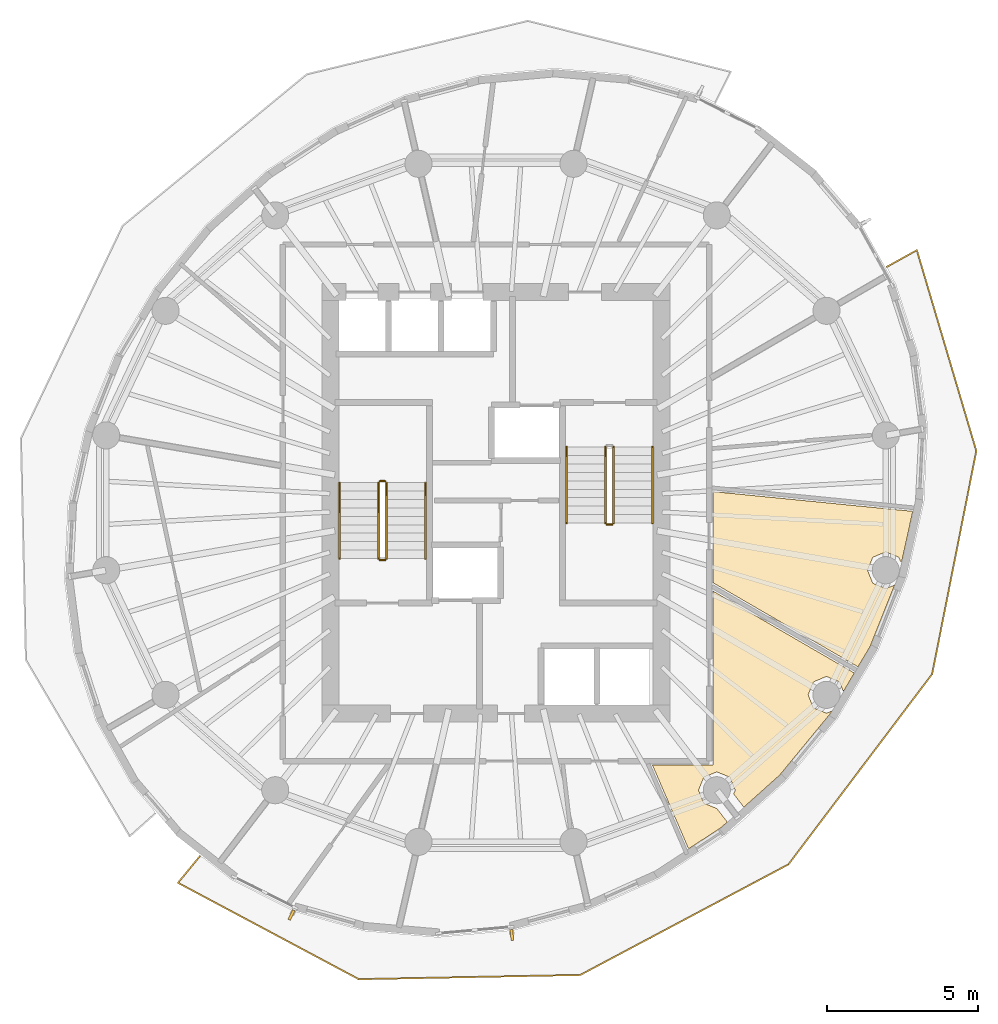
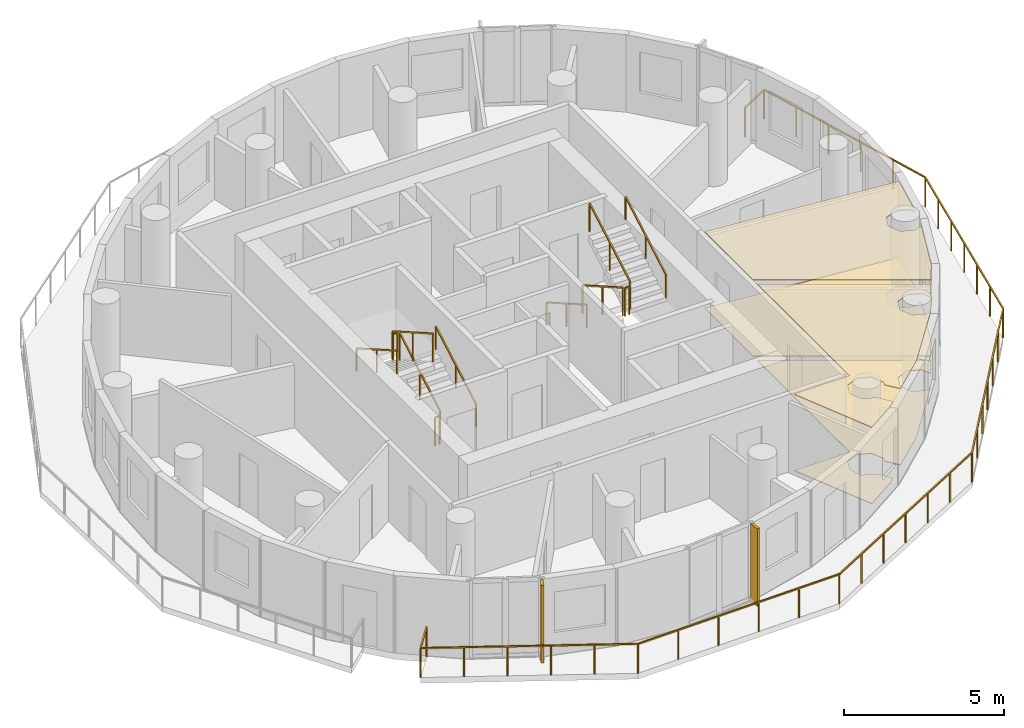
# One storey, part 8 of 10: 12 railings, 4 coverings, 2 shading devices.
"""IFC4 building model written with IfcOpenShell, lengths in metres."""

from ifc_helpers import new_model, si_unit, direction, frame, origin, origin_2d, place, context, subcontext, project, spatial, polyline, rectangle, outline, extrude, material, layer, layer_set, type_object, element, save


model = new_model("IFC4")

# Units and contexts
model_context = context("Model", 3, precision=1e-05, world=origin(), true_north=direction((0.0, 1.0)))
body_context = subcontext(model_context, "Body", "Model", "MODEL_VIEW")
ifc_project = project(units=[si_unit("LENGTHUNIT", "METRE"), si_unit("AREAUNIT", "SQUARE_METRE"), si_unit("VOLUMEUNIT", "CUBIC_METRE"), si_unit("PLANEANGLEUNIT", "RADIAN"), si_unit("MASSUNIT", "GRAM", prefix="KILO")], contexts=[model_context])

# Site, building, storey
site_placement = place(None, origin())
site = spatial("IfcSite", under=ifc_project, at=site_placement, CompositionType="ELEMENT")
building_placement = place(site_placement, origin())
building = spatial("IfcBuilding", under=site, at=building_placement, Name="Veldorim Arch Residences", CompositionType="ELEMENT")
storey_placement = place(building_placement, frame((0.0, 0.0, 191.840087890625)))
storey = spatial("IfcBuildingStorey", under=building, at=storey_placement, Name="L57", CompositionType="ELEMENT", Elevation=191.840087890625)

# Railings
ifc_material_1 = material(Name="Aluminium", Category="aluminium")
railing_type_1 = type_object("IfcRailingType", Name="Balcony & Terrace Laminated Glass Balustrade 1150", PredefinedType="BALUSTRADE", material=ifc_material_1)
railing_1_placement = place(storey_placement, frame((22.165283203125, 12.267822265625, 0.0)))
element("IfcRailing", 1, at=railing_1_placement, inside=storey, type_object=railing_type_1, Name="L57 crescent balcony safety balustrade B", PredefinedType="BALUSTRADE", context=body_context, shape_type="SweptSolid", body=[
    extrude(rectangle(XDim=0.048095703125, YDim=0.048095703125, at=origin_2d()), frame((0.0, 0.0, 1.1259765625), z_axis=(-0.63473942336, -0.772726254525, 0.0), x_axis=(0.772726254525, -0.63473942336, 0.0)), (0.0, 0.0, 1.0), 1.150146484375),
    extrude(rectangle(XDim=0.048095703125, YDim=0.048095703125, at=origin_2d()), frame((-0.72998046875, -0.888671875, 1.1259765625), z_axis=(0.882440269535, -0.470424458019, 0.0), x_axis=(0.470424458019, 0.882440269535, 0.0)), (0.0, 0.0, 1.0), 6.80908203125),
    extrude(rectangle(XDim=0.048095703125, YDim=0.048095703125, at=origin_2d()), frame((5.278564453125, -4.091796875, 1.1259765625), z_axis=(0.999813480167, 0.019313334178, 0.0), x_axis=(-0.019313334178, 0.999813480167, 0.0)), (0.0, 0.0, 1.0), 7.357177734375),
    extrude(rectangle(XDim=0.048095703125, YDim=0.048095703125, at=origin_2d()), frame((12.63427734375, -3.94970703125, 1.1259765625), z_axis=(0.883151640335, 0.469087603944, 0.0), x_axis=(-0.469087603944, 0.883151640335, 0.0)), (0.0, 0.0, 1.0), 7.831298828125),
    extrude(rectangle(XDim=0.048095703125, YDim=0.048095703125, at=origin_2d()), frame((19.550537109375, -0.276123046875, 1.1259765625), z_axis=(0.602542160694, 0.798087053263, 0.0), x_axis=(-0.798087053263, 0.602542160694, 0.0)), (0.0, 0.0, 1.0), 7.91943359375),
    extrude(rectangle(XDim=0.048095703125, YDim=0.048095703125, at=origin_2d()), frame((24.322265625, 6.044189453125, 1.1259765625), z_axis=(0.194176891155, 0.980966531, 0.0), x_axis=(-0.980966531, 0.194176891155, 0.0)), (0.0, 0.0, 1.0), 7.55517578125),
    extrude(rectangle(XDim=0.048095703125, YDim=0.048095703125, at=origin_2d()), frame((25.789306640625, 13.45556640625, 1.1259765625), z_axis=(-0.284062041239, 0.958805901488, 0.0), x_axis=(-0.958805901488, -0.284062041239, 0.0)), (0.0, 0.0, 1.0), 6.95654296875),
    extrude(rectangle(XDim=0.048095703125, YDim=0.048095703125, at=origin_2d()), frame((23.813232421875, 20.12548828125, 1.1259765625), z_axis=(-0.874547582746, -0.484939713278, 0.0), x_axis=(0.484939713278, -0.874547582746, 0.0)), (0.0, 0.0, 1.0), 1.14990234375),
    extrude(rectangle(XDim=0.0419921875, YDim=0.0419921875, at=origin_2d()), origin(), (0.0, 0.0, 1.0), 1.101806640625),
    extrude(rectangle(XDim=0.0419921875, YDim=0.0419921875, at=origin_2d()), frame((-0.72998046875, -0.888671875, 0.0)), (0.0, 0.0, 1.0), 1.101806640625),
    extrude(rectangle(XDim=0.0419921875, YDim=0.0419921875, at=origin_2d()), frame((0.4716796875, -1.529296875, 0.0)), (0.0, 0.0, 1.0), 1.101806640625),
    extrude(rectangle(XDim=0.0419921875, YDim=0.0419921875, at=origin_2d()), frame((1.67333984375, -2.169921875, 0.0)), (0.0, 0.0, 1.0), 1.101806640625),
    extrude(rectangle(XDim=0.0419921875, YDim=0.0419921875, at=origin_2d()), frame((2.875244140625, -2.810546875, 0.0)), (0.0, 0.0, 1.0), 1.101806640625),
    extrude(rectangle(XDim=0.0419921875, YDim=0.0419921875, at=origin_2d()), frame((4.076904296875, -3.451171875, 0.0)), (0.0, 0.0, 1.0), 1.101806640625),
    extrude(rectangle(XDim=0.0419921875, YDim=0.0419921875, at=origin_2d()), frame((5.278564453125, -4.091796875, 0.0)), (0.0, 0.0, 1.0), 1.101806640625),
    extrude(rectangle(XDim=0.0419921875, YDim=0.0419921875, at=origin_2d()), frame((6.749755859375, -4.0634765625, 0.0)), (0.0, 0.0, 1.0), 1.101806640625),
    extrude(rectangle(XDim=0.0419921875, YDim=0.0419921875, at=origin_2d()), frame((8.220947265625, -4.034912109375, 0.0)), (0.0, 0.0, 1.0), 1.101806640625),
    extrude(rectangle(XDim=0.0419921875, YDim=0.0419921875, at=origin_2d()), frame((9.69189453125, -4.006591796875, 0.0)), (0.0, 0.0, 1.0), 1.101806640625),
    extrude(rectangle(XDim=0.0419921875, YDim=0.0419921875, at=origin_2d()), frame((11.1630859375, -3.97802734375, 0.0)), (0.0, 0.0, 1.0), 1.101806640625),
    extrude(rectangle(XDim=0.0419921875, YDim=0.0419921875, at=origin_2d()), frame((12.63427734375, -3.94970703125, 0.0)), (0.0, 0.0, 1.0), 1.101806640625),
    extrude(rectangle(XDim=0.0419921875, YDim=0.0419921875, at=origin_2d()), frame((13.787109375, -3.33740234375, 0.0)), (0.0, 0.0, 1.0), 1.101806640625),
    extrude(rectangle(XDim=0.0419921875, YDim=0.0419921875, at=origin_2d()), frame((14.939697265625, -2.72509765625, 0.0)), (0.0, 0.0, 1.0), 1.101806640625),
    extrude(rectangle(XDim=0.0419921875, YDim=0.0419921875, at=origin_2d()), frame((16.09228515625, -2.11279296875, 0.0)), (0.0, 0.0, 1.0), 1.101806640625),
    extrude(rectangle(XDim=0.0419921875, YDim=0.0419921875, at=origin_2d()), frame((17.2451171875, -1.500732421875, 0.0)), (0.0, 0.0, 1.0), 1.101806640625),
    extrude(rectangle(XDim=0.0419921875, YDim=0.0419921875, at=origin_2d()), frame((18.39794921875, -0.888427734375, 0.0)), (0.0, 0.0, 1.0), 1.101806640625),
    extrude(rectangle(XDim=0.0419921875, YDim=0.0419921875, at=origin_2d()), frame((19.550537109375, -0.276123046875, 0.0)), (0.0, 0.0, 1.0), 1.101806640625),
    extrude(rectangle(XDim=0.0419921875, YDim=0.0419921875, at=origin_2d()), frame((20.345703125, 0.77734375, 0.0)), (0.0, 0.0, 1.0), 1.101806640625),
    extrude(rectangle(XDim=0.0419921875, YDim=0.0419921875, at=origin_2d()), frame((21.14111328125, 1.83056640625, 0.0)), (0.0, 0.0, 1.0), 1.101806640625),
    extrude(rectangle(XDim=0.0419921875, YDim=0.0419921875, at=origin_2d()), frame((21.9365234375, 2.884033203125, 0.0)), (0.0, 0.0, 1.0), 1.101806640625),
    extrude(rectangle(XDim=0.0419921875, YDim=0.0419921875, at=origin_2d()), frame((22.731689453125, 3.9375, 0.0)), (0.0, 0.0, 1.0), 1.101806640625),
    extrude(rectangle(XDim=0.0419921875, YDim=0.0419921875, at=origin_2d()), frame((23.52685546875, 4.99072265625, 0.0)), (0.0, 0.0, 1.0), 1.101806640625),
    extrude(rectangle(XDim=0.0419921875, YDim=0.0419921875, at=origin_2d()), frame((24.322265625, 6.044189453125, 0.0)), (0.0, 0.0, 1.0), 1.101806640625),
    extrude(rectangle(XDim=0.0419921875, YDim=0.0419921875, at=origin_2d()), frame((24.56689453125, 7.279296875, 0.0)), (0.0, 0.0, 1.0), 1.101806640625),
    extrude(rectangle(XDim=0.0419921875, YDim=0.0419921875, at=origin_2d()), frame((24.811279296875, 8.5146484375, 0.0)), (0.0, 0.0, 1.0), 1.101806640625),
    extrude(rectangle(XDim=0.0419921875, YDim=0.0419921875, at=origin_2d()), frame((25.0556640625, 9.75, 0.0)), (0.0, 0.0, 1.0), 1.101806640625),
    extrude(rectangle(XDim=0.0419921875, YDim=0.0419921875, at=origin_2d()), frame((25.30029296875, 10.985107421875, 0.0)), (0.0, 0.0, 1.0), 1.101806640625),
    extrude(rectangle(XDim=0.0419921875, YDim=0.0419921875, at=origin_2d()), frame((25.544921875, 12.22021484375, 0.0)), (0.0, 0.0, 1.0), 1.101806640625),
    extrude(rectangle(XDim=0.0419921875, YDim=0.0419921875, at=origin_2d()), frame((25.789306640625, 13.45556640625, 0.0)), (0.0, 0.0, 1.0), 1.101806640625),
    extrude(rectangle(XDim=0.0419921875, YDim=0.0419921875, at=origin_2d()), frame((25.39404296875, 14.78955078125, 0.0)), (0.0, 0.0, 1.0), 1.101806640625),
    extrude(rectangle(XDim=0.0419921875, YDim=0.0419921875, at=origin_2d()), frame((24.998779296875, 16.12353515625, 0.0)), (0.0, 0.0, 1.0), 1.101806640625),
    extrude(rectangle(XDim=0.0419921875, YDim=0.0419921875, at=origin_2d()), frame((24.603759765625, 17.45751953125, 0.0)), (0.0, 0.0, 1.0), 1.101806640625),
    extrude(rectangle(XDim=0.0419921875, YDim=0.0419921875, at=origin_2d()), frame((24.20849609375, 18.79150390625, 0.0)), (0.0, 0.0, 1.0), 1.101806640625),
    extrude(rectangle(XDim=0.0419921875, YDim=0.0419921875, at=origin_2d()), frame((23.813232421875, 20.12548828125, 0.0)), (0.0, 0.0, 1.0), 1.101806640625),
    extrude(rectangle(XDim=0.0419921875, YDim=0.0419921875, at=origin_2d()), frame((22.8076171875, 19.56787109375, 0.0)), (0.0, 0.0, 1.0), 1.101806640625),
])
ifc_material_2 = material(Name="Steel S355", Category="steel")
railing_type_2 = type_object("IfcRailingType", Name="Galvanised Steel Stair Safety Guardrail 1100", PredefinedType="GUARDRAIL", material=ifc_material_2)
railing_2_placement = place(storey_placement, frame((28.360107421875, 22.14990234375, 0.159912109375)))
element("IfcRailing", 2, at=railing_2_placement, inside=storey, type_object=railing_type_2, Name="L57 ST-1 stair guard 1", PredefinedType="GUARDRAIL", context=body_context, shape_type="SweptSolid", body=[
    extrude(rectangle(XDim=0.048095703125, YDim=0.048095703125, at=origin_2d()), frame((0.0, 0.0, 1.076171875), z_axis=(0.0, 0.868253494771, 0.496120820787), x_axis=(-1.0, 0.0, 0.0)), (0.0, 0.0, 1.0), 2.90234375),
    extrude(rectangle(XDim=0.0419921875, YDim=0.0419921875, at=origin_2d()), origin(), (0.0, 0.0, 1.0), 1.052001953125),
    extrude(rectangle(XDim=0.0419921875, YDim=0.0419921875, at=origin_2d()), frame((0.0, 1.260009765625, 0.719970703125)), (0.0, 0.0, 1.0), 1.052001953125),
    extrude(rectangle(XDim=0.0419921875, YDim=0.0419921875, at=origin_2d()), frame((0.0, 2.52001953125, 1.43994140625)), (0.0, 0.0, 1.0), 1.052001953125),
])
railing_3_placement = place(storey_placement, frame((28.31005859375, 24.719970703125, 1.599853515625)))
element("IfcRailing", 3, at=railing_3_placement, inside=storey, type_object=railing_type_2, Name="L57 ST-1 stair guard 2", PredefinedType="GUARDRAIL", context=body_context, shape_type="SweptSolid", body=[
    extrude(rectangle(XDim=0.048095703125, YDim=0.048095703125, at=origin_2d()), frame((0.0, 0.0, 1.076171875), z_axis=(-1.0, 0.0, 0.0), x_axis=(0.0, -1.0, 0.0)), (0.0, 0.0, 1.0), 0.16015625),
    extrude(rectangle(XDim=0.0419921875, YDim=0.0419921875, at=origin_2d()), origin(), (0.0, 0.0, 1.0), 1.052001953125),
    extrude(rectangle(XDim=0.0419921875, YDim=0.0419921875, at=origin_2d()), frame((-0.16015625, 0.0, 0.0)), (0.0, 0.0, 1.0), 1.052001953125),
])
railing_4_placement = place(storey_placement, frame((28.10009765625, 24.669921875, 1.760009765625)))
element("IfcRailing", 4, at=railing_4_placement, inside=storey, type_object=railing_type_2, Name="L57 ST-1 stair guard 3", PredefinedType="GUARDRAIL", context=body_context, shape_type="SweptSolid", body=[
    extrude(rectangle(XDim=0.048095703125, YDim=0.048095703125, at=origin_2d()), frame((0.0, 0.0, 1.076171875), z_axis=(0.0, -0.868253494771, 0.496120820787), x_axis=(1.0, 0.0, 0.0)), (0.0, 0.0, 1.0), 2.90234375),
    extrude(rectangle(XDim=0.0419921875, YDim=0.0419921875, at=origin_2d()), origin(), (0.0, 0.0, 1.0), 1.052001953125),
    extrude(rectangle(XDim=0.0419921875, YDim=0.0419921875, at=origin_2d()), frame((0.0, -1.260009765625, 0.719970703125)), (0.0, 0.0, 1.0), 1.052001953125),
    extrude(rectangle(XDim=0.0419921875, YDim=0.0419921875, at=origin_2d()), frame((0.0, -2.52001953125, 1.43994140625)), (0.0, 0.0, 1.0), 1.052001953125),
])
railing_5_placement = place(storey_placement, frame((28.31005859375, 22.10009765625, 0.0)))
element("IfcRailing", 5, at=railing_5_placement, inside=storey, type_object=railing_type_2, Name="L57 ST-1 stair guard 4", PredefinedType="GUARDRAIL", context=body_context, shape_type="SweptSolid", body=[
    extrude(rectangle(XDim=0.048095703125, YDim=0.048095703125, at=origin_2d()), frame((0.0, 0.0, 1.076171875), z_axis=(-1.0, 0.0, 0.0), x_axis=(0.0, -1.0, 0.0)), (0.0, 0.0, 1.0), 0.16015625),
    extrude(rectangle(XDim=0.0419921875, YDim=0.0419921875, at=origin_2d()), origin(), (0.0, 0.0, 1.0), 1.052001953125),
    extrude(rectangle(XDim=0.0419921875, YDim=0.0419921875, at=origin_2d()), frame((-0.16015625, 0.0, 0.0)), (0.0, 0.0, 1.0), 1.052001953125),
])
railing_6_placement = place(storey_placement, frame((35.639892578125, 25.85009765625, 0.159912109375)))
element("IfcRailing", 6, at=railing_6_placement, inside=storey, type_object=railing_type_2, Name="L57 ST-2 stair guard 1", PredefinedType="GUARDRAIL", context=body_context, shape_type="SweptSolid", body=[
    extrude(rectangle(XDim=0.048095703125, YDim=0.048095703125, at=origin_2d()), frame((0.0, 0.0, 1.076171875), z_axis=(0.0, -0.868253494771, 0.496120820787), x_axis=(1.0, 0.0, 0.0)), (0.0, 0.0, 1.0), 2.90234375),
    extrude(rectangle(XDim=0.0419921875, YDim=0.0419921875, at=origin_2d()), origin(), (0.0, 0.0, 1.0), 1.052001953125),
    extrude(rectangle(XDim=0.0419921875, YDim=0.0419921875, at=origin_2d()), frame((0.0, -1.260009765625, 0.719970703125)), (0.0, 0.0, 1.0), 1.052001953125),
    extrude(rectangle(XDim=0.0419921875, YDim=0.0419921875, at=origin_2d()), frame((0.0, -2.52001953125, 1.43994140625)), (0.0, 0.0, 1.0), 1.052001953125),
])
railing_7_placement = place(storey_placement, frame((35.68994140625, 23.280029296875, 1.599853515625)))
element("IfcRailing", 7, at=railing_7_placement, inside=storey, type_object=railing_type_2, Name="L57 ST-2 stair guard 2", PredefinedType="GUARDRAIL", context=body_context, shape_type="SweptSolid", body=[
    extrude(rectangle(XDim=0.048095703125, YDim=0.048095703125, at=origin_2d()), frame((0.0, 0.0, 1.076171875), z_axis=(1.0, 0.0, 0.0), x_axis=(0.0, 1.0, 0.0)), (0.0, 0.0, 1.0), 0.16015625),
    extrude(rectangle(XDim=0.0419921875, YDim=0.0419921875, at=origin_2d()), origin(), (0.0, 0.0, 1.0), 1.052001953125),
    extrude(rectangle(XDim=0.0419921875, YDim=0.0419921875, at=origin_2d()), frame((0.16015625, 0.0, 0.0)), (0.0, 0.0, 1.0), 1.052001953125),
])
railing_8_placement = place(storey_placement, frame((35.89990234375, 23.330078125, 1.760009765625)))
element("IfcRailing", 8, at=railing_8_placement, inside=storey, type_object=railing_type_2, Name="L57 ST-2 stair guard 3", PredefinedType="GUARDRAIL", context=body_context, shape_type="SweptSolid", body=[
    extrude(rectangle(XDim=0.048095703125, YDim=0.048095703125, at=origin_2d()), frame((0.0, 0.0, 1.076171875), z_axis=(0.0, 0.868253494771, 0.496120820787), x_axis=(-1.0, 0.0, 0.0)), (0.0, 0.0, 1.0), 2.90234375),
    extrude(rectangle(XDim=0.0419921875, YDim=0.0419921875, at=origin_2d()), origin(), (0.0, 0.0, 1.0), 1.052001953125),
    extrude(rectangle(XDim=0.0419921875, YDim=0.0419921875, at=origin_2d()), frame((0.0, 1.260009765625, 0.719970703125)), (0.0, 0.0, 1.0), 1.052001953125),
    extrude(rectangle(XDim=0.0419921875, YDim=0.0419921875, at=origin_2d()), frame((0.0, 2.52001953125, 1.43994140625)), (0.0, 0.0, 1.0), 1.052001953125),
])

# Coverings
ifc_material_3 = material(Name="Acoustic Gypsum & Mineral Fibre", Category="gypsum")
ifc_layer_1 = layer(ifc_material_3, 0.034912109375, Name="Perforated Acoustic Mineral-Fibre Ceiling 35")
ifc_layer_set_1 = layer_set([ifc_layer_1], Name="Acoustic Gypsum & Mineral Fibre")
covering_type_1 = type_object("IfcCoveringType", Name="Perforated Acoustic Mineral-Fibre Ceiling 35", PredefinedType="CEILING", material=ifc_layer_set_1)
covering_1_placement = place(storey_placement, frame((0.0, 0.0, 2.905029296875)))
element("IfcCovering", 9, at=covering_1_placement, inside=storey, type_object=covering_type_1, Name="L57 acoustic suspended ceiling 01", PredefinedType="CEILING", context=body_context, shape_type="SweptSolid", body=[
    extrude(outline(polyline([(44.4267578125, 19.233642578125), (44.023193359375, 18.5537109375), (39.199951171875, 21.3505859375), (39.199951171875, 24.373779296875), (45.841796875, 23.717529296875), (45.471435546875, 22.04248046875), (45.43701171875, 22.048583984375), (45.377685546875, 22.191650390625), (44.9462890625, 22.370361328125), (44.51513671875, 22.191650390625), (44.33642578125, 21.760498046875), (44.51513671875, 21.3291015625), (44.9462890625, 21.150390625), (45.239013671875, 21.271728515625), (44.4267578125, 19.233642578125)])), origin(), (0.0, 0.0, 1.0), 0.034912109375),
])
covering_2_placement = place(storey_placement, frame((0.0, 0.0, 2.905029296875)))
element("IfcCovering", 10, at=covering_2_placement, inside=storey, type_object=covering_type_1, Name="L57 acoustic suspended ceiling 02", PredefinedType="CEILING", context=body_context, shape_type="SweptSolid", body=[
    extrude(outline(polyline([(39.681396484375, 13.398681640625), (39.468017578125, 13.20751953125), (38.3955078125, 12.5087890625), (37.19140625, 15.300048828125), (39.199951171875, 15.300048828125), (39.199951171875, 21.0732421875), (43.900634765625, 18.347412109375), (43.5380859375, 17.736083984375), (43.40673828125, 18.053466796875), (42.975341796875, 18.23193359375), (42.544189453125, 18.053466796875), (42.365478515625, 17.6220703125), (42.544189453125, 17.19091796875), (42.975341796875, 17.01220703125), (43.15185546875, 17.085205078125), (43.095703125, 16.990478515625), (41.425537109375, 14.961181640625), (40.23046875, 13.890625), (39.89208984375, 14.330810546875), (39.943359375, 14.45458984375), (39.764892578125, 14.885986328125), (39.33349609375, 15.064697265625), (38.902099609375, 14.885986328125), (38.7236328125, 14.45458984375), (38.902099609375, 14.0234375), (39.33740234375, 13.846435546875), (39.681396484375, 13.398681640625)])), origin(), (0.0, 0.0, 1.0), 0.034912109375),
])
ifc_material_4 = material(Name="Porcelain Ceramic Tile", Category="ceramic")
ifc_layer_2 = layer(ifc_material_4, 0.02001953125, Name="Slip-Resistant Porcelain & Vinyl Floor Finish 20")
ifc_layer_set_2 = layer_set([ifc_layer_2], Name="Porcelain Ceramic Tile")
covering_type_2 = type_object("IfcCoveringType", Name="Slip-Resistant Porcelain & Vinyl Floor Finish 20", PredefinedType="FLOORING", material=ifc_layer_set_2)
covering_3_placement = place(storey_placement, origin())
element("IfcCovering", 11, at=covering_3_placement, inside=storey, type_object=covering_type_2, Name="L57 porcelain floor finish 01", PredefinedType="FLOORING", context=body_context, shape_type="SweptSolid", body=[
    extrude(outline(polyline([(44.4267578125, 19.233642578125), (44.023193359375, 18.5537109375), (39.199951171875, 21.3505859375), (39.199951171875, 24.373779296875), (45.841796875, 23.717529296875), (45.471435546875, 22.04248046875), (45.43701171875, 22.048583984375), (45.377685546875, 22.191650390625), (44.9462890625, 22.370361328125), (44.51513671875, 22.191650390625), (44.33642578125, 21.760498046875), (44.51513671875, 21.3291015625), (44.9462890625, 21.150390625), (45.239013671875, 21.271728515625), (44.4267578125, 19.233642578125)])), origin(), (0.0, 0.0, 1.0), 0.02001953125),
])
covering_4_placement = place(storey_placement, origin())
element("IfcCovering", 12, at=covering_4_placement, inside=storey, type_object=covering_type_2, Name="L57 porcelain floor finish 02", PredefinedType="FLOORING", context=body_context, shape_type="SweptSolid", body=[
    extrude(outline(polyline([(39.681396484375, 13.398681640625), (39.468017578125, 13.20751953125), (38.3955078125, 12.5087890625), (37.19140625, 15.300048828125), (39.199951171875, 15.300048828125), (39.199951171875, 21.0732421875), (43.900634765625, 18.347412109375), (43.5380859375, 17.736083984375), (43.40673828125, 18.053466796875), (42.975341796875, 18.23193359375), (42.544189453125, 18.053466796875), (42.365478515625, 17.6220703125), (42.544189453125, 17.19091796875), (42.975341796875, 17.01220703125), (43.15185546875, 17.085205078125), (43.095703125, 16.990478515625), (41.425537109375, 14.961181640625), (40.23046875, 13.890625), (39.89208984375, 14.330810546875), (39.943359375, 14.45458984375), (39.764892578125, 14.885986328125), (39.33349609375, 15.064697265625), (38.902099609375, 14.885986328125), (38.7236328125, 14.45458984375), (38.902099609375, 14.0234375), (39.33740234375, 13.846435546875), (39.681396484375, 13.398681640625)])), origin(), (0.0, 0.0, 1.0), 0.02001953125),
])

# Railings
ifc_material_5 = material(Name="Stainless Steel", Category="steel")
railing_type_3 = type_object("IfcRailingType", Name="Tubular Steel Continuous Wall Handrail 900", PredefinedType="HANDRAIL", material=ifc_material_5)
railing_9_placement = place(storey_placement, frame((29.659912109375, 22.14990234375, 0.159912109375)))
element("IfcRailing", 13, at=railing_9_placement, inside=storey, type_object=railing_type_3, Name="L57 ST-1 stair handrail 1", PredefinedType="HANDRAIL", context=body_context, shape_type="SweptSolid", body=[
    extrude(rectangle(XDim=0.048095703125, YDim=0.048095703125, at=origin_2d()), frame((0.0, 0.0, 0.8759765625), z_axis=(0.0, 0.868253494771, 0.496120820787), x_axis=(-1.0, 0.0, 0.0)), (0.0, 0.0, 1.0), 2.90234375),
    extrude(rectangle(XDim=0.0419921875, YDim=0.0419921875, at=origin_2d()), origin(), (0.0, 0.0, 1.0), 0.851806640625),
    extrude(rectangle(XDim=0.0419921875, YDim=0.0419921875, at=origin_2d()), frame((0.0, 1.260009765625, 0.719970703125)), (0.0, 0.0, 1.0), 0.851806640625),
    extrude(rectangle(XDim=0.0419921875, YDim=0.0419921875, at=origin_2d()), frame((0.0, 2.52001953125, 1.43994140625)), (0.0, 0.0, 1.0), 0.851806640625),
])
for number, where, name in (
    (14, (26.800048828125, 24.669921875, 1.760009765625), "L57 ST-1 stair handrail 2"),
    (15, (34.340087890625, 25.85009765625, 0.159912109375), "L57 ST-2 stair handrail 1"),
):
    element("IfcRailing", number, at=place(storey_placement, frame(where)), inside=storey, type_object=railing_type_3, Name=name, PredefinedType="HANDRAIL", context=body_context, shape_type="SweptSolid", body=[
        extrude(rectangle(XDim=0.048095703125, YDim=0.048095703125, at=origin_2d()), frame((0.0, 0.0, 0.8759765625), z_axis=(0.0, -0.868253494771, 0.496120820787), x_axis=(1.0, 0.0, 0.0)), (0.0, 0.0, 1.0), 2.90234375),
        extrude(rectangle(XDim=0.0419921875, YDim=0.0419921875, at=origin_2d()), origin(), (0.0, 0.0, 1.0), 0.851806640625),
        extrude(rectangle(XDim=0.0419921875, YDim=0.0419921875, at=origin_2d()), frame((0.0, -1.260009765625, 0.719970703125)), (0.0, 0.0, 1.0), 0.851806640625),
        extrude(rectangle(XDim=0.0419921875, YDim=0.0419921875, at=origin_2d()), frame((0.0, -2.52001953125, 1.43994140625)), (0.0, 0.0, 1.0), 0.851806640625),
    ])
railing_10_placement = place(storey_placement, frame((37.199951171875, 23.330078125, 1.760009765625)))
element("IfcRailing", 16, at=railing_10_placement, inside=storey, type_object=railing_type_3, Name="L57 ST-2 stair handrail 2", PredefinedType="HANDRAIL", context=body_context, shape_type="SweptSolid", body=[
    extrude(rectangle(XDim=0.048095703125, YDim=0.048095703125, at=origin_2d()), frame((0.0, 0.0, 0.8759765625), z_axis=(0.0, 0.868253494771, 0.496120820787), x_axis=(-1.0, 0.0, 0.0)), (0.0, 0.0, 1.0), 2.90234375),
    extrude(rectangle(XDim=0.0419921875, YDim=0.0419921875, at=origin_2d()), origin(), (0.0, 0.0, 1.0), 0.851806640625),
    extrude(rectangle(XDim=0.0419921875, YDim=0.0419921875, at=origin_2d()), frame((0.0, 1.260009765625, 0.719970703125)), (0.0, 0.0, 1.0), 0.851806640625),
    extrude(rectangle(XDim=0.0419921875, YDim=0.0419921875, at=origin_2d()), frame((0.0, 2.52001953125, 1.43994140625)), (0.0, 0.0, 1.0), 0.851806640625),
])

# Shading devices
ifc_material_6 = material(Name="Terracotta Ceramic", Category="masonry")
ifc_layer_3 = layer(ifc_material_6, 0.090087890625, Name="Vertical Extruded Terracotta Baguette Sun-Shading Fin")
ifc_layer_set_3 = layer_set([ifc_layer_3], Name="Terracotta Ceramic")
shading_device_type = type_object("IfcShadingDeviceType", Name="Vertical Extruded Terracotta Baguette Sun-Shading Fin", PredefinedType="USERDEFINED", material=ifc_layer_set_3)
for number, where, z_axis, x_axis, name in (
    (17, (25.20849609375, 10.31005859375, 0.0), (0.0, 0.0, 1.0), (-0.893606528733, 0.448851168881, 0.0), "L57 vertical terracotta sun-shading fin 20"),
    (18, (32.52783203125, 9.644775390625, 0.0), (0.0, 0.0, 1.0), (-0.995900201817, -0.090458764201, 0.0), "L57 vertical terracotta sun-shading fin 23"),
):
    element("IfcShadingDevice", number, at=place(storey_placement, frame(where, z_axis=z_axis, x_axis=x_axis)), inside=storey, type_object=shading_device_type, Name=name, ObjectType="FIN", PredefinedType="USERDEFINED", context=body_context, shape_type="SweptSolid", body=[
        extrude(rectangle(XDim=0.090087890625, YDim=0.360107421875, at=origin_2d()), origin(), (0.0, 0.0, 1.0), 2.9599609375),
    ])

save(model, "model.ifc")
